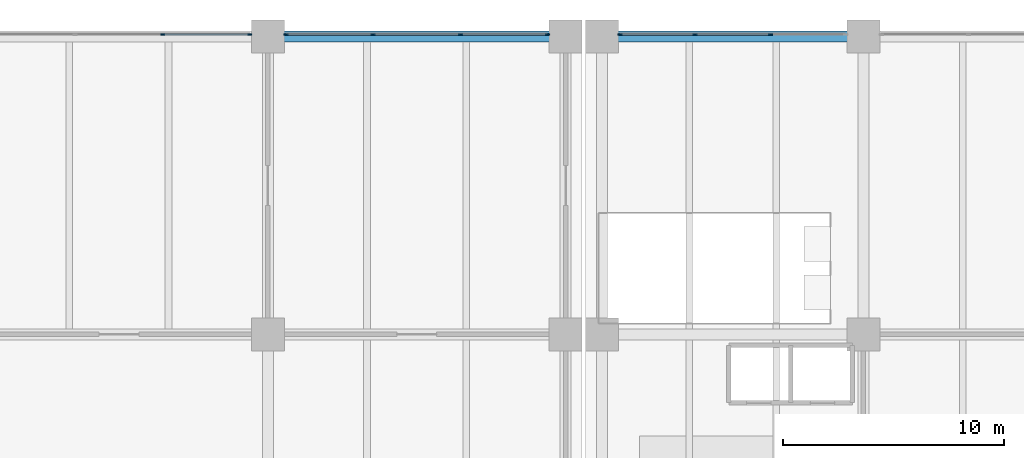
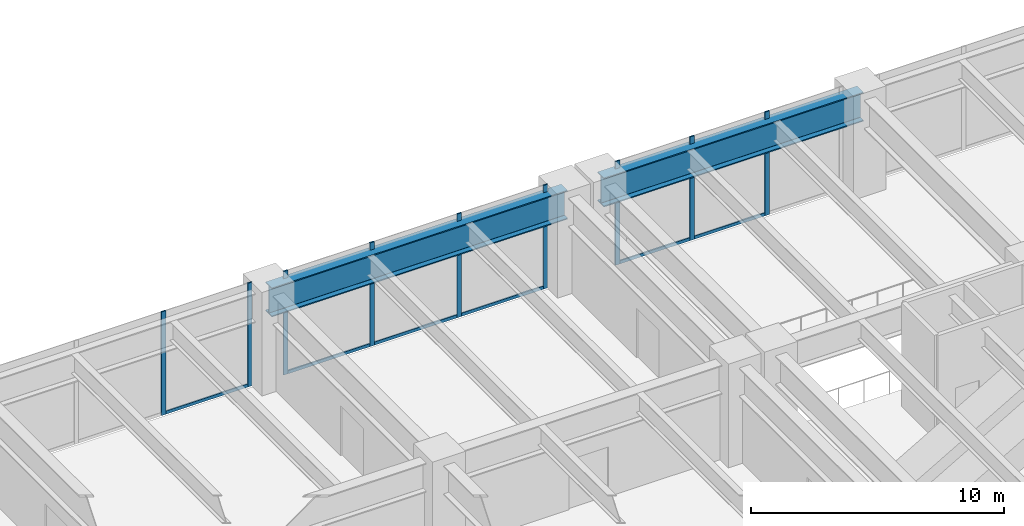
# One storey, part 15 of 32: 15 members, 2 beams, 3 elements without a shape of their own.
"""IFC4 building model written with IfcOpenShell, lengths in metres."""

from ifc_helpers import new_model, si_unit, direction, frame, origin, origin_2d, place, context, subcontext, project, spatial, rectangle, i_section, extrude, material, material_profile, profile_set, type_object, element, aggregate, save


model = new_model("IFC4")

# Units and contexts
model_context = context("Model", 3, precision=1e-05, world=origin(), true_north=direction((0.0, 1.0)))
body_context = subcontext(model_context, "Body", "Model", "MODEL_VIEW")
ifc_project = project(units=[si_unit("LENGTHUNIT", "METRE"), si_unit("AREAUNIT", "SQUARE_METRE"), si_unit("VOLUMEUNIT", "CUBIC_METRE"), si_unit("PLANEANGLEUNIT", "RADIAN"), si_unit("MASSUNIT", "GRAM", prefix="KILO")], contexts=[model_context])

# Site, building, storey
site_placement = place(None, origin())
site = spatial("IfcSite", under=ifc_project, at=site_placement, CompositionType="ELEMENT")
building_placement = place(site_placement, origin())
building = spatial("IfcBuilding", under=site, at=building_placement, Name="Upepo Twin Towers", CompositionType="ELEMENT")
storey_placement = place(building_placement, frame((0.0, 0.0, 10.5)))
storey = spatial("IfcBuildingStorey", under=building, at=storey_placement, Name="L02", CompositionType="ELEMENT", Elevation=10.5)

# Beams
ifc_material_1 = material(Name="Steel S355", Category="steel")
ifc_material_profile_1 = material_profile(ifc_material_1, i_section(OverallWidth=0.5, OverallDepth=1.39990234375, WebThickness=0.02490234375, FlangeThickness=0.050048828125, FilletRadius=0.008056640625, at=origin_2d()), Name="PG 1400x500x25x50")
ifc_profile_set_1 = profile_set([ifc_material_profile_1], Name="Steel S355")
beam_type = type_object("IfcBeamType", Name="Beam PG 1400x500x25x50", PredefinedType="BEAM", material=ifc_profile_set_1)
beam_1_placement = place(storey_placement, frame((13.5, 40.5, 3.949951171875), z_axis=(1.0, 0.0, 0.0), x_axis=(0.0, 1.0, 0.0)))
element("IfcBeam", 1, at=beam_1_placement, inside=storey, type_object=beam_type, Name="Podium girder G/4-5", PredefinedType="BEAM", context=body_context, shape_type="SweptSolid", body=[
    extrude(i_section(OverallWidth=0.5, OverallDepth=1.39990234375, WebThickness=0.02490234375, FlangeThickness=0.050048828125, FilletRadius=0.008056640625, at=origin_2d()), origin(), (0.0, 0.0, 1.0), 13.5),
])
beam_2_placement = place(storey_placement, frame((28.64990234375, 40.5, 3.949951171875), z_axis=(1.0, 0.0, 0.0), x_axis=(0.0, 1.0, 0.0)))
element("IfcBeam", 2, at=beam_2_placement, inside=storey, type_object=beam_type, Name="Podium girder G/5a-6", PredefinedType="BEAM", context=body_context, shape_type="SweptSolid", body=[
    extrude(i_section(OverallWidth=0.5, OverallDepth=1.39990234375, WebThickness=0.02490234375, FlangeThickness=0.050048828125, FilletRadius=0.008056640625, at=origin_2d()), origin(), (0.0, 0.0, 1.0), 11.85009765625),
])

# Curtain wall, members
ifc_material_2 = material(Name="Aluminium and clear glass", Category="aluminium")
curtain_wall_type = type_object("IfcCurtainWallType", Name="Podium curtain wall PW1", PredefinedType="NOTDEFINED", material=ifc_material_2)
curtain_wall_1_placement = place(storey_placement, origin())
curtain_wall_1 = element("IfcCurtainWall", 3, at=curtain_wall_1_placement, inside=storey, type_object=curtain_wall_type, Name="Podium L02 curtain wall N5", PredefinedType="NOTDEFINED")
ifc_material_3 = material(Name="Aluminium mullion", Category="aluminium")
ifc_material_profile_2 = material_profile(ifc_material_3, rectangle(XDim=0.06494140625, YDim=0.199951171875, at=origin_2d()), Name="MULLION 65x200 PODIUM")
ifc_profile_set_2 = profile_set([ifc_material_profile_2], Name="Aluminium mullion")
member_type_1 = type_object("IfcMemberType", Name="Mullion 65x200 PW1", PredefinedType="MULLION", material=ifc_profile_set_2)
member_1_placement = place(storey_placement, frame((36.288330078125, 40.60009765625, 0.0), z_axis=(0.0, 0.0, 1.0), x_axis=(0.0, -1.0, 0.0)))
member_1 = element("IfcMember", 4, at=member_1_placement, type_object=member_type_1, Name="Podium L02 curtain wall N5 mullion 2", PredefinedType="MULLION", context=body_context, shape_type="SweptSolid", body=[
    extrude(rectangle(XDim=0.06494140625, YDim=0.199951171875, at=origin_2d()), origin(), (0.0, 0.0, 1.0), 5.0),
])
member_2_placement = place(storey_placement, frame((32.861572265625, 40.60009765625, 0.0), z_axis=(0.0, 0.0, 1.0), x_axis=(0.0, -1.0, 0.0)))
member_2 = element("IfcMember", 5, at=member_2_placement, type_object=member_type_1, Name="Podium L02 curtain wall N5 mullion 3", PredefinedType="MULLION", context=body_context, shape_type="SweptSolid", body=[
    extrude(rectangle(XDim=0.06494140625, YDim=0.199951171875, at=origin_2d()), origin(), (0.0, 0.0, 1.0), 5.0),
])
member_3_placement = place(storey_placement, frame((29.467529296875, 40.60009765625, 0.0), z_axis=(0.0, 0.0, 1.0), x_axis=(0.0, -1.0, 0.0)))
member_3 = element("IfcMember", 6, at=member_3_placement, type_object=member_type_1, Name="Podium L02 curtain wall N5 mullion 4", PredefinedType="MULLION", context=body_context, shape_type="SweptSolid", body=[
    extrude(rectangle(XDim=0.06494140625, YDim=0.199951171875, at=origin_2d()), origin(), (0.0, 0.0, 1.0), 5.0),
])

curtain_wall_2_placement = place(storey_placement, origin())
curtain_wall_2 = element("IfcCurtainWall", 7, at=curtain_wall_2_placement, inside=storey, type_object=curtain_wall_type, Name="Podium L02 curtain wall N6", PredefinedType="NOTDEFINED")
member_4_placement = place(storey_placement, frame((26.1826171875, 40.60009765625, 0.0), z_axis=(0.0, 0.0, 1.0), x_axis=(0.0, -1.0, 0.0)))
member_4 = element("IfcMember", 8, at=member_4_placement, type_object=member_type_1, Name="Podium L02 curtain wall N6 mullion 1", PredefinedType="MULLION", context=body_context, shape_type="SweptSolid", body=[
    extrude(rectangle(XDim=0.06494140625, YDim=0.199951171875, at=origin_2d()), origin(), (0.0, 0.0, 1.0), 5.0),
])
member_5_placement = place(storey_placement, frame((22.23828125, 40.60009765625, 0.0), z_axis=(0.0, 0.0, 1.0), x_axis=(0.0, -1.0, 0.0)))
member_5 = element("IfcMember", 9, at=member_5_placement, type_object=member_type_1, Name="Podium L02 curtain wall N6 mullion 2", PredefinedType="MULLION", context=body_context, shape_type="SweptSolid", body=[
    extrude(rectangle(XDim=0.06494140625, YDim=0.199951171875, at=origin_2d()), origin(), (0.0, 0.0, 1.0), 5.0),
])
member_6_placement = place(storey_placement, frame((18.26171875, 40.60009765625, 0.0), z_axis=(0.0, 0.0, 1.0), x_axis=(0.0, -1.0, 0.0)))
member_6 = element("IfcMember", 10, at=member_6_placement, type_object=member_type_1, Name="Podium L02 curtain wall N6 mullion 3", PredefinedType="MULLION", context=body_context, shape_type="SweptSolid", body=[
    extrude(rectangle(XDim=0.06494140625, YDim=0.199951171875, at=origin_2d()), origin(), (0.0, 0.0, 1.0), 5.0),
])
member_7_placement = place(storey_placement, frame((14.3173828125, 40.60009765625, 0.0), z_axis=(0.0, 0.0, 1.0), x_axis=(0.0, -1.0, 0.0)))
member_7 = element("IfcMember", 11, at=member_7_placement, type_object=member_type_1, Name="Podium L02 curtain wall N6 mullion 4", PredefinedType="MULLION", context=body_context, shape_type="SweptSolid", body=[
    extrude(rectangle(XDim=0.06494140625, YDim=0.199951171875, at=origin_2d()), origin(), (0.0, 0.0, 1.0), 5.0),
])

curtain_wall_3_placement = place(storey_placement, origin())
curtain_wall_3 = element("IfcCurtainWall", 12, at=curtain_wall_3_placement, inside=storey, type_object=curtain_wall_type, Name="Podium L02 curtain wall N7", PredefinedType="NOTDEFINED")
member_8_placement = place(storey_placement, frame((12.6826171875, 40.60009765625, 0.0), z_axis=(0.0, 0.0, 1.0), x_axis=(0.0, -1.0, 0.0)))
member_8 = element("IfcMember", 13, at=member_8_placement, type_object=member_type_1, Name="Podium L02 curtain wall N7 mullion 1", PredefinedType="MULLION", context=body_context, shape_type="SweptSolid", body=[
    extrude(rectangle(XDim=0.06494140625, YDim=0.199951171875, at=origin_2d()), origin(), (0.0, 0.0, 1.0), 5.0),
])
member_9_placement = place(storey_placement, frame((8.73828125, 40.60009765625, 0.0), z_axis=(0.0, 0.0, 1.0), x_axis=(0.0, -1.0, 0.0)))
member_9 = element("IfcMember", 14, at=member_9_placement, type_object=member_type_1, Name="Podium L02 curtain wall N7 mullion 2", PredefinedType="MULLION", context=body_context, shape_type="SweptSolid", body=[
    extrude(rectangle(XDim=0.06494140625, YDim=0.199951171875, at=origin_2d()), origin(), (0.0, 0.0, 1.0), 5.0),
])

# Member
ifc_material_4 = material(Name="Aluminium transom", Category="aluminium")
ifc_material_profile_3 = material_profile(ifc_material_4, rectangle(XDim=0.06494140625, YDim=0.14990234375, at=origin_2d()), Name="TRANSOM 65x150 PODIUM")
ifc_profile_set_3 = profile_set([ifc_material_profile_3], Name="Aluminium transom")
member_type_2 = type_object("IfcMemberType", Name="Transom 65x150 PW1", PredefinedType="USERDEFINED", material=ifc_profile_set_3)
member_10_placement = place(storey_placement, frame((36.255859375, 40.60009765625, 0.074951171875), z_axis=(-1.0, 0.0, 0.0), x_axis=(0.0, -1.0, 0.0)))
member_10 = element("IfcMember", 15, at=member_10_placement, type_object=member_type_2, Name="Podium L02 curtain wall N5 transom 2", ObjectType="TRANSOM", PredefinedType="USERDEFINED", context=body_context, shape_type="SweptSolid", body=[
    extrude(rectangle(XDim=0.06494140625, YDim=0.14990234375, at=origin_2d()), origin(), (0.0, 0.0, 1.0), 3.361572265625),
])

member_11_placement = place(storey_placement, frame((32.8291015625, 40.60009765625, 0.074951171875), z_axis=(-1.0, 0.0, 0.0), x_axis=(0.0, -1.0, 0.0)))
member_11 = element("IfcMember", 16, at=member_11_placement, type_object=member_type_2, Name="Podium L02 curtain wall N5 transom 3", ObjectType="TRANSOM", PredefinedType="USERDEFINED", context=body_context, shape_type="SweptSolid", body=[
    extrude(rectangle(XDim=0.06494140625, YDim=0.14990234375, at=origin_2d()), origin(), (0.0, 0.0, 1.0), 3.3291015625),
])

aggregate(curtain_wall_1, [member_1, member_2, member_3, member_10, member_11])

member_12_placement = place(storey_placement, frame((26.14990234375, 40.60009765625, 0.074951171875), z_axis=(-1.0, 0.0, 0.0), x_axis=(0.0, -1.0, 0.0)))
member_12 = element("IfcMember", 17, at=member_12_placement, type_object=member_type_2, Name="Podium L02 curtain wall N6 transom 1", ObjectType="TRANSOM", PredefinedType="USERDEFINED", context=body_context, shape_type="SweptSolid", body=[
    extrude(rectangle(XDim=0.06494140625, YDim=0.14990234375, at=origin_2d()), origin(), (0.0, 0.0, 1.0), 3.879150390625),
])

member_13_placement = place(storey_placement, frame((22.205810546875, 40.60009765625, 0.074951171875), z_axis=(-1.0, 0.0, 0.0), x_axis=(0.0, -1.0, 0.0)))
member_13 = element("IfcMember", 18, at=member_13_placement, type_object=member_type_2, Name="Podium L02 curtain wall N6 transom 2", ObjectType="TRANSOM", PredefinedType="USERDEFINED", context=body_context, shape_type="SweptSolid", body=[
    extrude(rectangle(XDim=0.06494140625, YDim=0.14990234375, at=origin_2d()), origin(), (0.0, 0.0, 1.0), 3.91162109375),
])

member_14_placement = place(storey_placement, frame((18.229248046875, 40.60009765625, 0.074951171875), z_axis=(-1.0, 0.0, 0.0), x_axis=(0.0, -1.0, 0.0)))
member_14 = element("IfcMember", 19, at=member_14_placement, type_object=member_type_2, Name="Podium L02 curtain wall N6 transom 3", ObjectType="TRANSOM", PredefinedType="USERDEFINED", context=body_context, shape_type="SweptSolid", body=[
    extrude(rectangle(XDim=0.06494140625, YDim=0.14990234375, at=origin_2d()), origin(), (0.0, 0.0, 1.0), 3.879150390625),
])

aggregate(curtain_wall_2, [member_4, member_5, member_6, member_7, member_12, member_13, member_14])

member_15_placement = place(storey_placement, frame((12.64990234375, 40.60009765625, 0.074951171875), z_axis=(-1.0, 0.0, 0.0), x_axis=(0.0, -1.0, 0.0)))
member_15 = element("IfcMember", 20, at=member_15_placement, type_object=member_type_2, Name="Podium L02 curtain wall N7 transom 1", ObjectType="TRANSOM", PredefinedType="USERDEFINED", context=body_context, shape_type="SweptSolid", body=[
    extrude(rectangle(XDim=0.06494140625, YDim=0.14990234375, at=origin_2d()), origin(), (0.0, 0.0, 1.0), 3.879150390625),
])

aggregate(curtain_wall_3, [member_8, member_9, member_15])

save(model, "model.ifc")
